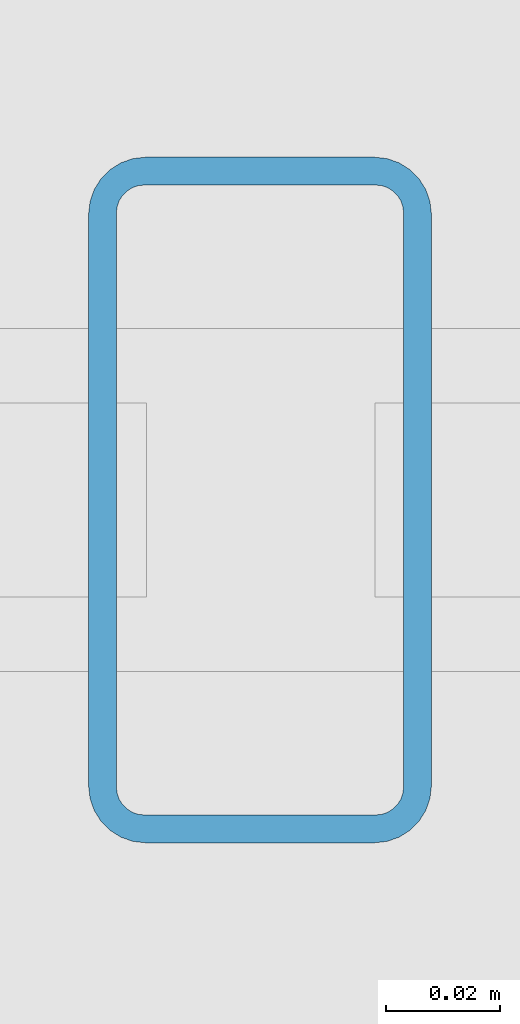
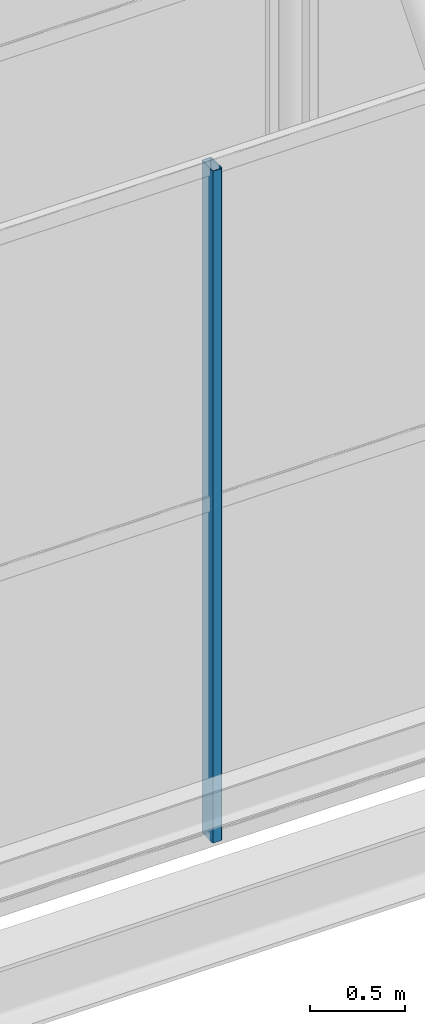
# One storey, part 9 of 77: 1 member, 1 element without a shape of its own.
"""IFC4 building model written with IfcOpenShell, lengths in metres."""

from ifc_helpers import new_model, si_unit, derived_unit, direction, frame, origin, origin_2d, place, context, subcontext, project, spatial, hollow_rectangle, extrude, material, material_profile, profile_set, type_object, element, aggregate, save


model = new_model("IFC4")

# Units and contexts
model_context = context("Model", 3, precision=1e-05, world=origin(), true_north=direction((0.0, 1.0)))
body_context = subcontext(model_context, "Body", "Model", "MODEL_VIEW")
ifc_project = project(units=[si_unit("LENGTHUNIT", "METRE"), si_unit("AREAUNIT", "SQUARE_METRE"), si_unit("VOLUMEUNIT", "CUBIC_METRE"), si_unit("PLANEANGLEUNIT", "RADIAN"), si_unit("MASSUNIT", "GRAM", prefix="KILO"), derived_unit("THERMALTRANSMITTANCEUNIT", [(si_unit("MASSUNIT", "GRAM", prefix="KILO"), 1), (si_unit("TIMEUNIT", "SECOND"), -3), (si_unit("THERMODYNAMICTEMPERATUREUNIT", "KELVIN"), -1)])], contexts=[model_context])

# Site, building, storey
site_placement = place(None, origin())
site = spatial("IfcSite", under=ifc_project, at=site_placement, CompositionType="ELEMENT")
building_placement = place(site_placement, origin())
building = spatial("IfcBuilding", under=site, at=building_placement, Name="Kharveza Railside Sports Centre", CompositionType="ELEMENT")
storey_placement = place(building_placement, frame((0.0, 0.0, 17.10009765625)))
storey = spatial("IfcBuildingStorey", under=building, at=storey_placement, Name="L04", CompositionType="ELEMENT", Elevation=17.10009765625)

# Curtain wall, member
ifc_material_1 = material(Name="Low-E solar-control laminated glass", Category="glass")
curtain_wall_type = type_object("IfcCurtainWallType", Name="CW-NL01", PredefinedType="NOTDEFINED", material=ifc_material_1)
curtain_wall_placement = place(storey_placement, origin())
curtain_wall = element("IfcCurtainWall", 1, at=curtain_wall_placement, inside=storey, type_object=curtain_wall_type, Name="CW-V1NL-1-3", PredefinedType="NOTDEFINED")
ifc_material_2 = material(Name="Anodised aluminium 6063-T6", Category="aluminium")
ifc_material_profile = material_profile(ifc_material_2, hollow_rectangle(XDim=0.06005859375, YDim=0.1201171875, WallThickness=0.0048828125, InnerFilletRadius=0.0048828125, OuterFilletRadius=0.010009765625, at=origin_2d()), Name="RHS 60x120x5.0")
ifc_profile_set = profile_set([ifc_material_profile], Name="Anodised aluminium 6063-T6")
member_type = type_object("IfcMemberType", Name="CW-ML05", PredefinedType="MULLION", material=ifc_profile_set)
member_placement = place(storey_placement, frame((55.9599609375, 40.1142578125, -0.550048828125), z_axis=(0.0, 0.0, 1.0), x_axis=(1.0, 0.0, 0.0)))
member = element("IfcMember", 2, at=member_placement, type_object=member_type, Name="CW-V1NL-1-3-ML3", PredefinedType="MULLION", context=body_context, shape_type="SweptSolid", body=[
    extrude(hollow_rectangle(XDim=0.06005859375, YDim=0.1201171875, WallThickness=0.0048828125, InnerFilletRadius=0.0048828125, OuterFilletRadius=0.010009765625, at=origin_2d()), origin(), (0.0, 0.0, 1.0), 4.300048828125),
])
aggregate(curtain_wall, [member])

save(model, "model.ifc")
